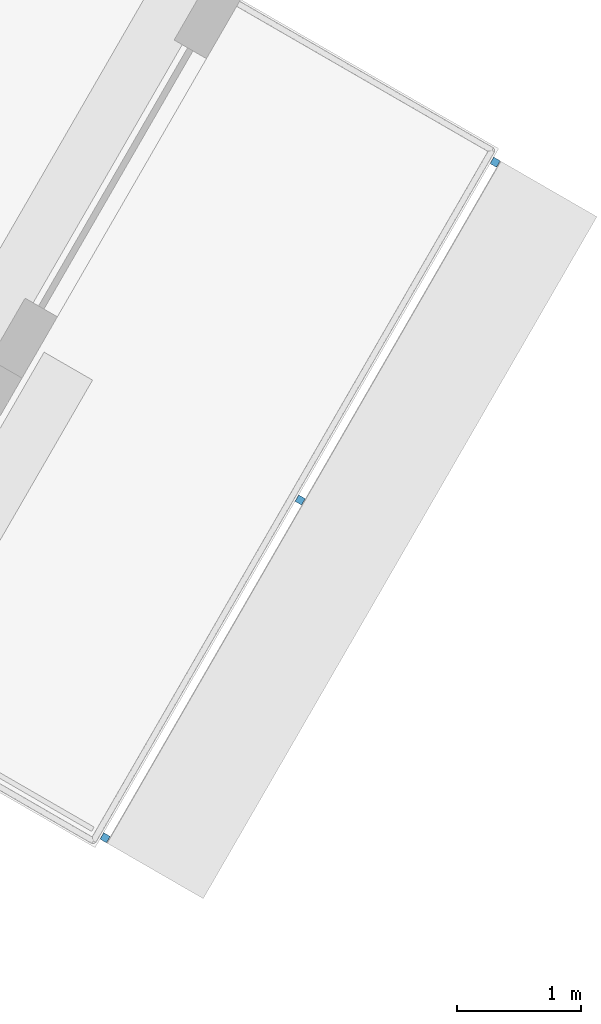
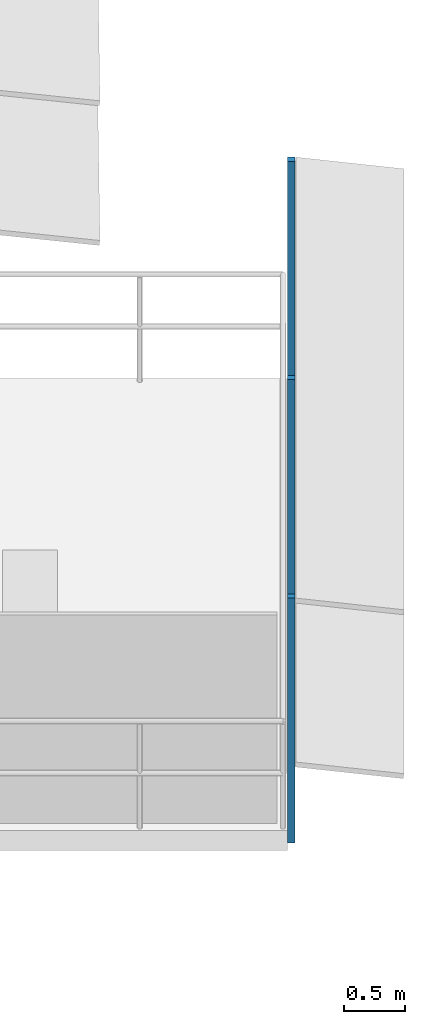
# One storey, part 10 of 14: 3 discrete accessories.
"""IFC4 building model written with IfcOpenShell, lengths in metres."""

from ifc_helpers import new_model, si_unit, direction, frame, origin, origin_2d, place, context, subcontext, project, spatial, rectangle, extrude, material, type_object, element, save


model = new_model("IFC4")

# Units and contexts
model_context = context("Model", 3, precision=1e-05, world=origin(), true_north=direction((0.0, 1.0)))
body_context = subcontext(model_context, "Body", "Model", "MODEL_VIEW")
ifc_project = project(units=[si_unit("LENGTHUNIT", "METRE"), si_unit("AREAUNIT", "SQUARE_METRE"), si_unit("VOLUMEUNIT", "CUBIC_METRE"), si_unit("PLANEANGLEUNIT", "RADIAN"), si_unit("MASSUNIT", "GRAM", prefix="KILO")], contexts=[model_context])

# Site, building, storey
site_placement = place(None, origin())
site = spatial("IfcSite", under=ifc_project, at=site_placement, CompositionType="ELEMENT")
building_placement = place(site_placement, origin())
building = spatial("IfcBuilding", under=site, at=building_placement, Name="Nakaniwa Court", CompositionType="ELEMENT")
storey_placement = place(building_placement, frame((0.0, 0.0, 259.199951171875)))
storey = spatial("IfcBuildingStorey", under=building, at=storey_placement, Name="L68", CompositionType="ELEMENT", Elevation=259.199951171875)

# Discrete accessories
ifc_material = material(Name="Black powder-coated steel bracket S275", Category="steel")
discrete_accessory_type = type_object("IfcDiscreteAccessoryType", Name="Black metal louvre bracket", PredefinedType="BRACKET", material=ifc_material)
for number, where, z_axis, x_axis, name in (
    (1, (100.473388671875, 65.301025390625, -0.229736328125), (0.0, 0.0, 1.0), (0.499986396443, 0.866033257659, 0.0), "L68 louvre bracket 02 1"),
    (2, (102.043212890625, 68.02001953125, -0.229736328125), (0.0, 0.0, 1.0), (0.499986396443, 0.866033257659, 0.0), "L68 louvre bracket 02 2"),
    (3, (103.613037109375, 70.739013671875, -0.229736328125), (0.0, 0.0, 1.0), (0.499986396443, 0.866033257659, 0.0), "L68 louvre bracket 02 3"),
):
    element("IfcDiscreteAccessory", number, at=place(storey_placement, frame(where, z_axis=z_axis, x_axis=x_axis)), inside=storey, type_object=discrete_accessory_type, Name=name, PredefinedType="BRACKET", context=body_context, shape_type="SweptSolid", body=[
        extrude(rectangle(XDim=0.06005859375, YDim=0.06005859375, at=origin_2d()), origin(), (0.0, 0.0, 1.0), 2.46337890625),
    ])

save(model, "model.ifc")
